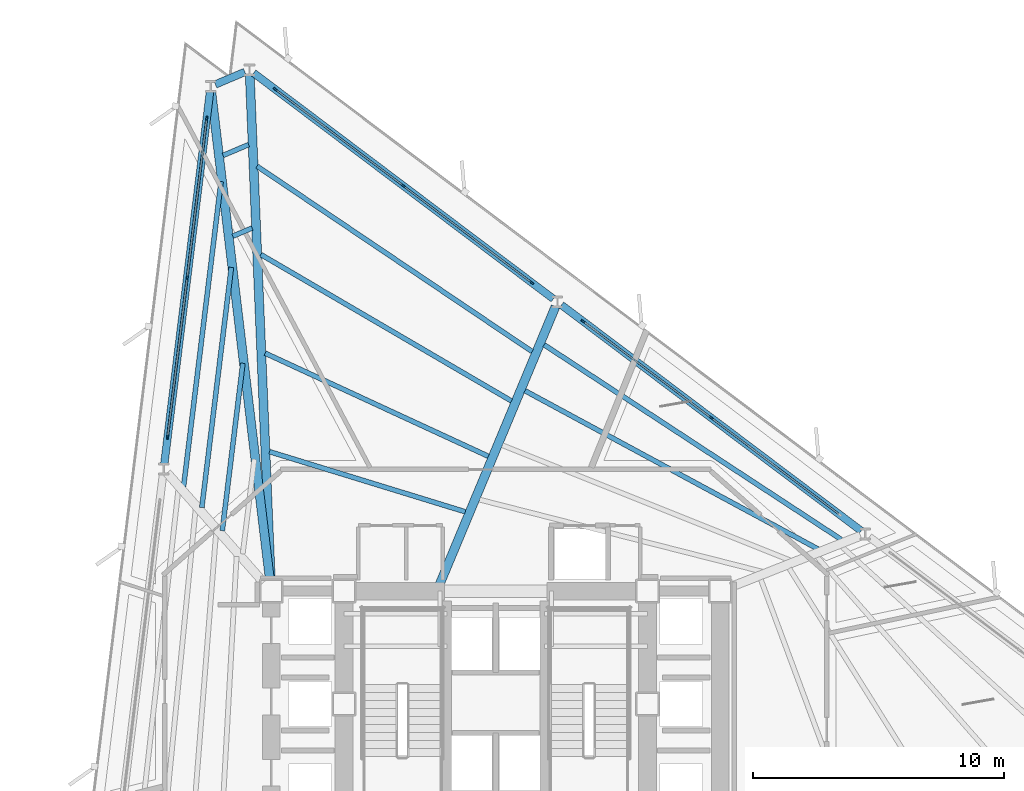
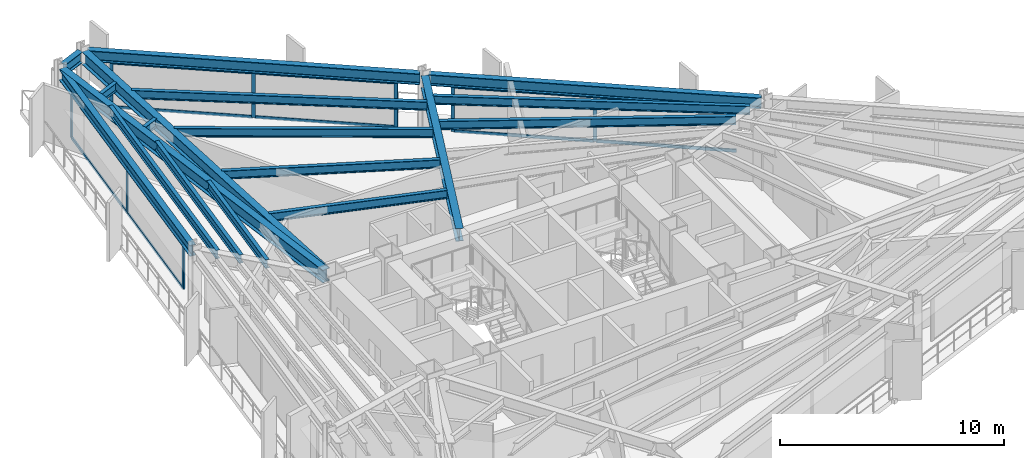
# One storey, part 5 of 13: 20 members, 18 beams, 3 elements without a shape of their own.
"""IFC4 building model written with IfcOpenShell, lengths in metres."""

import ifcopenshell
import ifcopenshell.guid

model = None  # the IFC model being written
_history = None  # IfcOwnerHistory: only IFC2X3 demands one
_inside = {}  # id of a spatial element -> (the spatial element, [elements in it])
_under = {}  # id of a project, library or spatial element -> (it, [spatial elements below it])
_declared = {}  # id of a project -> (the project, [libraries it declares])
_typed = {}  # id of a type object -> (the type object, [elements of that type])
_made_of = {}  # id of a material, layer set ... -> (it, [elements and type objects made of it])


def new_model(schema):
    """Start an empty IFC model of exactly this schema.

    Asked for "IFC4X3", IfcOpenShell would pick the latest addendum, in which some entities
    have other attributes; the version numbers below select the first issue.
    IFC2X3 requires an IfcOwnerHistory on every rooted entity: one is made here for all.
    """
    global model, _history
    if schema == "IFC4X3":
        model = ifcopenshell.file(schema_version=(4, 3, 0, 0))
    else:
        model = ifcopenshell.file(schema=schema)
    _inside.clear()
    _under.clear()
    _declared.clear()
    _typed.clear()
    _made_of.clear()
    _history = None
    if model.schema == "IFC2X3":
        org = make("IfcOrganization", Name="unknown")
        user = make(
            "IfcPersonAndOrganization",
            ThePerson=make("IfcPerson", FamilyName="unknown"),
            TheOrganization=org,
        )
        app = make(
            "IfcApplication",
            ApplicationDeveloper=org,
            Version="unknown",
            ApplicationFullName="unknown",
            ApplicationIdentifier="unknown",
        )
        _history = make(
            "IfcOwnerHistory",
            OwningUser=user,
            OwningApplication=app,
            ChangeAction="ADDED",
            CreationDate=0,
        )
    return model


def make(cls, **values):
    """One entity of the class cls with the attributes given. An attribute that is None is left unset."""
    return model.create_entity(
        cls, **{name: value for name, value in values.items() if value is not None}
    )


def rooted(cls, **values):
    """An entity with a GlobalId (a new one), such as an element, a storey or a relation."""
    return make(cls, GlobalId=ifcopenshell.guid.new(), OwnerHistory=_history, **values)


def si_unit(unit_type, name, prefix=None):
    """IfcSIUnit, for example si_unit("LENGTHUNIT", "METRE", prefix="MILLI")."""
    return make("IfcSIUnit", UnitType=unit_type, Prefix=prefix, Name=name)


def assignment(units):
    """IfcUnitAssignment: the units of a project."""
    return None if units is None else make("IfcUnitAssignment", Units=units)


def point(xyz):
    """IfcCartesianPoint."""
    return None if xyz is None else make("IfcCartesianPoint", Coordinates=xyz)


def direction(xyz):
    """IfcDirection."""
    return None if xyz is None else make("IfcDirection", DirectionRatios=xyz)


def frame(location, z_axis=None, x_axis=None):
    """IfcAxis2Placement3D, a coordinate frame: its origin and axes. An axis left out is left unset."""
    return make(
        "IfcAxis2Placement3D",
        Location=point(location),
        Axis=direction(z_axis),
        RefDirection=direction(x_axis),
    )


def frame_2d(location, x_axis=None):
    """IfcAxis2Placement2D, a coordinate frame in the plane: its origin and x axis."""
    return make(
        "IfcAxis2Placement2D", Location=point(location), RefDirection=direction(x_axis)
    )


def origin():
    """The frame at (0, 0, 0) with its axes left unset."""
    return frame((0.0, 0.0, 0.0))


def origin_2d():
    """The frame at (0, 0) in the plane with its x axis left unset."""
    return frame_2d((0.0, 0.0))


def place(relative_to, where):
    """IfcLocalPlacement: puts the frame where relative to a parent placement (None: the world)."""
    return make(
        "IfcLocalPlacement", PlacementRelTo=relative_to, RelativePlacement=where
    )


def context(
    kind, dimensions, precision=None, world=None, true_north=None, identifier=None
):
    """IfcGeometricRepresentationContext, for example the 3D "Model" context."""
    return make(
        "IfcGeometricRepresentationContext",
        ContextIdentifier=identifier,
        ContextType=kind,
        CoordinateSpaceDimension=dimensions,
        Precision=precision,
        WorldCoordinateSystem=world,
        TrueNorth=true_north,
    )


def subcontext(parent, identifier, kind, view, scale=None):
    """IfcGeometricRepresentationSubContext, for example "Body" below "Model"."""
    return make(
        "IfcGeometricRepresentationSubContext",
        ContextIdentifier=identifier,
        ContextType=kind,
        ParentContext=parent,
        TargetScale=scale,
        TargetView=view,
    )


def project(units=None, contexts=None):
    """IfcProject with its units and contexts."""
    return rooted(
        "IfcProject",
        Name="project",
        RepresentationContexts=contexts,
        UnitsInContext=assignment(units),
    )


def spatial(cls, under=None, at=None, **own):
    """A site, building, storey or space (cls), placed at a placement, below another one or the project."""
    s = rooted(cls, ObjectPlacement=at, **own)
    if under is not None:
        _under.setdefault(under.id(), (under, []))[1].append(s)
    return s


def profile(cls, at=None, kind="AREA", **sizes):
    """A parametric profile (cls). Its sizes go by their IFC names, for example OverallWidth=200.0."""
    return make(cls, ProfileType=kind, Position=at, **sizes)


def rectangle(**sizes):
    """IfcRectangleProfileDef."""
    return profile("IfcRectangleProfileDef", **sizes)


def i_section(**sizes):
    """IfcIShapeProfileDef."""
    return profile("IfcIShapeProfileDef", **sizes)


def extrude(swept, where, along, depth):
    """IfcExtrudedAreaSolid: the profile swept, set in the frame where, extruded along a direction by depth."""
    return make(
        "IfcExtrudedAreaSolid",
        SweptArea=swept,
        Position=where,
        ExtrudedDirection=direction(along),
        Depth=depth,
    )


def shape(context_of_items, identifier, shape_type, items):
    """IfcShapeRepresentation: the items that make up one representation, for example the "Body"."""
    return make(
        "IfcShapeRepresentation",
        ContextOfItems=context_of_items,
        RepresentationIdentifier=identifier,
        RepresentationType=shape_type,
        Items=items,
    )


def material(Name=None, Category=None):
    """IfcMaterial."""
    return make("IfcMaterial", Name=Name, Category=Category)


def layer(
    of_material, thickness, ventilated=None, Name=None, Category=None, Priority=None
):
    """IfcMaterialLayer: one layer of a wall or slab, of a material (None: an air gap)."""
    return make(
        "IfcMaterialLayer",
        Material=of_material,
        LayerThickness=thickness,
        IsVentilated=ventilated,
        Name=Name,
        Category=Category,
        Priority=Priority,
    )


def layer_set(layers, Name=None):
    """IfcMaterialLayerSet."""
    return make("IfcMaterialLayerSet", MaterialLayers=layers, LayerSetName=Name)


def material_profile(
    of_material, cross_section, Name=None, Category=None, Priority=None
):
    """IfcMaterialProfile: a cross section and its material."""
    return make(
        "IfcMaterialProfile",
        Name=Name,
        Material=of_material,
        Profile=cross_section,
        Priority=Priority,
        Category=Category,
    )


def profile_set(profiles, Name=None, composite=None):
    """IfcMaterialProfileSet."""
    return make(
        "IfcMaterialProfileSet",
        Name=Name,
        MaterialProfiles=profiles,
        CompositeProfile=composite,
    )


def made_of(thing, what):
    """Note that an element or type object is made of a material, layer set ...; save() writes the relation."""
    if what is not None:
        _made_of.setdefault(what.id(), (what, []))[1].append(thing)
    return thing


def type_object(cls, material=None, **own):
    """A type object (cls), such as IfcWallType, which elements share."""
    return made_of(rooted(cls, **own), material)


def element(
    cls,
    number,
    at=None,
    inside=None,
    cuts=None,
    type_object=None,
    material=None,
    context=None,
    identifier="Body",
    shape_type=None,
    held_by="IfcProductDefinitionShape",
    body=None,
    shapes=None,
    **own,
):
    """One element of the class cls, such as IfcWall. Its Tag is "e" and its number.

    at: its placement. inside: the storey or other place that contains it. cuts: it is an
    opening in that element (IfcRelVoidsElement). A single representation is given by context,
    identifier, shape_type and body (its items); several are given by shapes. held_by: the class
    of the entity that holds the representations. save() writes the other relations.
    """
    e = rooted(cls, Tag="e%d" % number, ObjectPlacement=at, **own)
    if body is not None:
        shapes = [shape(context, identifier, shape_type, body)]
    if shapes is not None:
        e.Representation = make(held_by, Representations=shapes)
    if inside is not None:
        _inside.setdefault(inside.id(), (inside, []))[1].append(e)
    if cuts is not None:
        rooted(
            "IfcRelVoidsElement", RelatingBuildingElement=cuts, RelatedOpeningElement=e
        )
    if type_object is not None:
        _typed.setdefault(type_object.id(), (type_object, []))[1].append(e)
    return made_of(e, material)


def aggregate(whole, parts):
    """IfcRelAggregates: a whole, such as a stair, and the parts it consists of."""
    return rooted("IfcRelAggregates", RelatingObject=whole, RelatedObjects=parts)


def save(model, path):
    """Write the relations noted so far, then the file.

    IfcRelAggregates (storeys below a building ...), IfcRelContainedInSpatialStructure (elements
    in a storey), IfcRelDefinesByType, IfcRelAssociatesMaterial and IfcRelDeclares: one each for
    every whole, place, type object, material and project.
    """
    for whole, parts in _under.values():
        aggregate(whole, parts)
    for where, things in _inside.values():
        rooted(
            "IfcRelContainedInSpatialStructure",
            RelatedElements=things,
            RelatingStructure=where,
        )
    for kind, things in _typed.values():
        rooted("IfcRelDefinesByType", RelatedObjects=things, RelatingType=kind)
    for what, things in _made_of.values():
        rooted("IfcRelAssociatesMaterial", RelatedObjects=things, RelatingMaterial=what)
    for by, libraries in _declared.values():
        rooted("IfcRelDeclares", RelatingContext=by, RelatedDefinitions=libraries)
    model.write(path)


model = new_model("IFC4")

# Units and contexts
model_context = context("Model", 3, precision=1e-05, world=origin(), true_north=direction((0.0, 1.0)))
body_context = subcontext(model_context, "Body", "Model", "MODEL_VIEW")
ifc_project = project(units=[si_unit("LENGTHUNIT", "METRE"), si_unit("AREAUNIT", "SQUARE_METRE"), si_unit("VOLUMEUNIT", "CUBIC_METRE"), si_unit("PLANEANGLEUNIT", "RADIAN"), si_unit("MASSUNIT", "GRAM", prefix="KILO")], contexts=[model_context])

# Site, building, storey
site_placement = place(None, origin())
site = spatial("IfcSite", under=ifc_project, at=site_placement, CompositionType="ELEMENT")
building_placement = place(site_placement, origin())
building = spatial("IfcBuilding", under=site, at=building_placement, Name="Rocaltana Carrier Exchange", CompositionType="ELEMENT")
storey_placement = place(building_placement, frame((0.0, 0.0, 56.320068359375)))
storey = spatial("IfcBuildingStorey", under=building, at=storey_placement, Name="L17", CompositionType="ELEMENT", Elevation=56.320068359375)

# Curtain wall, members
ifc_material_1 = material(Name="Aluminium 6063-T6", Category="aluminium")
ifc_layer = layer(ifc_material_1, 0.1650390625)
ifc_layer_set = layer_set([ifc_layer], Name="Aluminium 6063-T6")
curtain_wall_type = type_object("IfcCurtainWallType", Name="Lower-Mid Stepped Curtain Wall CW-02", PredefinedType="NOTDEFINED", material=ifc_layer_set)
curtain_wall_1_placement = place(storey_placement, origin())
curtain_wall_1 = element("IfcCurtainWall", 1, at=curtain_wall_1_placement, inside=storey, type_object=curtain_wall_type, Name="L17 CW-02 Run CW-L17-F1S2", PredefinedType="NOTDEFINED")
ifc_material_2 = material(Name="Aluminium 6063-T6", Category="aluminium")
ifc_material_profile_1 = material_profile(ifc_material_2, rectangle(XDim=0.06494140625, YDim=0.1650390625, at=origin_2d()), Name="AL-65X165")
ifc_profile_set_1 = profile_set([ifc_material_profile_1], Name="Aluminium 6063-T6")
member_type_1 = type_object("IfcMemberType", Name="CW-02 Mullion AL-65X165", PredefinedType="MULLION", material=ifc_profile_set_1)
member_1_placement = place(storey_placement, frame((8.59423828125, 11.405029296875, 0.0), z_axis=(0.0, 0.0, 1.0), x_axis=(-0.601815253533, -0.798635336443, 0.0)))
member_1 = element("IfcMember", 2, at=member_1_placement, type_object=member_type_1, Name="CW-02 mullion 2", PredefinedType="MULLION", context=body_context, shape_type="SweptSolid", body=[
    extrude(rectangle(XDim=0.06494140625, YDim=0.1650390625, at=origin_2d()), origin(), (0.0, 0.0, 1.0), 2.47802734375),
])
member_2_placement = place(storey_placement, frame((3.482421875, 15.257080078125, 0.0), z_axis=(0.0, 0.0, 1.0), x_axis=(-0.601815253533, -0.798635336443, 0.0)))
member_2 = element("IfcMember", 3, at=member_2_placement, type_object=member_type_1, Name="CW-02 mullion 3", PredefinedType="MULLION", context=body_context, shape_type="SweptSolid", body=[
    extrude(rectangle(XDim=0.06494140625, YDim=0.1650390625, at=origin_2d()), origin(), (0.0, 0.0, 1.0), 2.47802734375),
])

curtain_wall_2_placement = place(storey_placement, origin())
curtain_wall_2 = element("IfcCurtainWall", 4, at=curtain_wall_2_placement, inside=storey, type_object=curtain_wall_type, Name="L17 CW-02 Run CW-L17-F1S3", PredefinedType="NOTDEFINED")
member_3_placement = place(storey_placement, frame((1.433837890625, 16.80078125, 0.0), z_axis=(0.0, 0.0, 1.0), x_axis=(-0.601811518049, -0.79863815132, 0.0)))
member_3 = element("IfcMember", 5, at=member_3_placement, type_object=member_type_1, Name="CW-02 mullion 1", PredefinedType="MULLION", context=body_context, shape_type="SweptSolid", body=[
    extrude(rectangle(XDim=0.06494140625, YDim=0.1650390625, at=origin_2d()), origin(), (0.0, 0.0, 1.0), 2.47802734375),
])
member_4_placement = place(storey_placement, frame((-3.677978515625, 20.65283203125, 0.0), z_axis=(0.0, 0.0, 1.0), x_axis=(-0.601811518049, -0.79863815132, 0.0)))
member_4 = element("IfcMember", 6, at=member_4_placement, type_object=member_type_1, Name="CW-02 mullion 2", PredefinedType="MULLION", context=body_context, shape_type="SweptSolid", body=[
    extrude(rectangle(XDim=0.06494140625, YDim=0.1650390625, at=origin_2d()), origin(), (0.0, 0.0, 1.0), 2.47802734375),
])
member_5_placement = place(storey_placement, frame((-8.7900390625, 24.505126953125, 0.0), z_axis=(0.0, 0.0, 1.0), x_axis=(-0.601811518049, -0.79863815132, 0.0)))
member_5 = element("IfcMember", 7, at=member_5_placement, type_object=member_type_1, Name="CW-02 mullion 3", PredefinedType="MULLION", context=body_context, shape_type="SweptSolid", body=[
    extrude(rectangle(XDim=0.06494140625, YDim=0.1650390625, at=origin_2d()), origin(), (0.0, 0.0, 1.0), 2.47802734375),
])

curtain_wall_3_placement = place(storey_placement, origin())
curtain_wall_3 = element("IfcCurtainWall", 8, at=curtain_wall_3_placement, inside=storey, type_object=curtain_wall_type, Name="L17 CW-02 Run CW-L17-F2S1", PredefinedType="NOTDEFINED")
member_6_placement = place(storey_placement, frame((-11.521484375, 23.345703125, 0.0), z_axis=(0.0, 0.0, 1.0), x_axis=(0.992545748051, -0.121872630343, 0.0)))
member_6 = element("IfcMember", 9, at=member_6_placement, type_object=member_type_1, Name="CW-02 mullion 1", PredefinedType="MULLION", context=body_context, shape_type="SweptSolid", body=[
    extrude(rectangle(XDim=0.06494140625, YDim=0.1650390625, at=origin_2d()), origin(), (0.0, 0.0, 1.0), 2.47802734375),
])
member_7_placement = place(storey_placement, frame((-12.301513671875, 16.992431640625, 0.0), z_axis=(0.0, 0.0, 1.0), x_axis=(0.992545748051, -0.121872630343, 0.0)))
member_7 = element("IfcMember", 10, at=member_7_placement, type_object=member_type_1, Name="CW-02 mullion 2", PredefinedType="MULLION", context=body_context, shape_type="SweptSolid", body=[
    extrude(rectangle(XDim=0.06494140625, YDim=0.1650390625, at=origin_2d()), origin(), (0.0, 0.0, 1.0), 2.47802734375),
])
member_8_placement = place(storey_placement, frame((-13.08154296875, 10.639404296875, 0.0), z_axis=(0.0, 0.0, 1.0), x_axis=(0.992545748051, -0.121872630343, 0.0)))
member_8 = element("IfcMember", 11, at=member_8_placement, type_object=member_type_1, Name="CW-02 mullion 3", PredefinedType="MULLION", context=body_context, shape_type="SweptSolid", body=[
    extrude(rectangle(XDim=0.06494140625, YDim=0.1650390625, at=origin_2d()), origin(), (0.0, 0.0, 1.0), 2.47802734375),
])

# Member
ifc_material_3 = material(Name="Aluminium 6063-T6", Category="aluminium")
ifc_material_profile_2 = material_profile(ifc_material_3, rectangle(XDim=0.06494140625, YDim=0.1650390625, at=origin_2d()), Name="AL-65X165")
ifc_profile_set_2 = profile_set([ifc_material_profile_2], Name="Aluminium 6063-T6")
member_type_2 = type_object("IfcMemberType", Name="CW-02 Transom AL-65X165", PredefinedType="USERDEFINED", material=ifc_profile_set_2)
member_9_placement = place(storey_placement, frame((13.68017578125, 7.572509765625, 0.032470703125), z_axis=(-0.798624539829, 0.601829580847, 0.0), x_axis=(-0.601829580847, -0.798624539829, 0.0)))
member_9 = element("IfcMember", 12, at=member_9_placement, type_object=member_type_2, Name="CW-02 transom 1.1", ObjectType="TRANSOM", PredefinedType="USERDEFINED", context=body_context, shape_type="SweptSolid", body=[
    extrude(rectangle(XDim=0.06494140625, YDim=0.1650390625, at=origin_2d()), origin(), (0.0, 0.0, 1.0), 6.335693359375),
])

member_10_placement = place(storey_placement, frame((13.68017578125, 7.572509765625, 2.4453125), z_axis=(-0.798624539829, 0.601829580847, 0.0), x_axis=(-0.601829580847, -0.798624539829, 0.0)))
member_10 = element("IfcMember", 13, at=member_10_placement, type_object=member_type_2, Name="CW-02 transom 1.2", ObjectType="TRANSOM", PredefinedType="USERDEFINED", context=body_context, shape_type="SweptSolid", body=[
    extrude(rectangle(XDim=0.06494140625, YDim=0.1650390625, at=origin_2d()), origin(), (0.0, 0.0, 1.0), 6.335693359375),
])

member_11_placement = place(storey_placement, frame((8.568359375, 11.424560546875, 0.032470703125), z_axis=(-0.798638496284, 0.601811060261, 0.0), x_axis=(-0.601811060261, -0.798638496284, 0.0)))
member_11 = element("IfcMember", 14, at=member_11_placement, type_object=member_type_2, Name="CW-02 transom 2.1", ObjectType="TRANSOM", PredefinedType="USERDEFINED", context=body_context, shape_type="SweptSolid", body=[
    extrude(rectangle(XDim=0.06494140625, YDim=0.1650390625, at=origin_2d()), origin(), (0.0, 0.0, 1.0), 6.3359375),
])

member_12_placement = place(storey_placement, frame((8.568359375, 11.424560546875, 2.4453125), z_axis=(-0.798638496284, 0.601811060261, 0.0), x_axis=(-0.601811060261, -0.798638496284, 0.0)))
member_12 = element("IfcMember", 15, at=member_12_placement, type_object=member_type_2, Name="CW-02 transom 2.2", ObjectType="TRANSOM", PredefinedType="USERDEFINED", context=body_context, shape_type="SweptSolid", body=[
    extrude(rectangle(XDim=0.06494140625, YDim=0.1650390625, at=origin_2d()), origin(), (0.0, 0.0, 1.0), 6.3359375),
])

aggregate(curtain_wall_1, [member_1, member_2, member_9, member_10, member_11, member_12])

member_13_placement = place(storey_placement, frame((1.407958984375, 16.8203125, 0.032470703125), z_axis=(-0.798638496284, 0.601811060261, 0.0), x_axis=(-0.601811060261, -0.798638496284, 0.0)))
member_13 = element("IfcMember", 16, at=member_13_placement, type_object=member_type_2, Name="CW-02 transom 1.1", ObjectType="TRANSOM", PredefinedType="USERDEFINED", context=body_context, shape_type="SweptSolid", body=[
    extrude(rectangle(XDim=0.06494140625, YDim=0.1650390625, at=origin_2d()), origin(), (0.0, 0.0, 1.0), 6.3359375),
])

member_14_placement = place(storey_placement, frame((1.407958984375, 16.8203125, 2.4453125), z_axis=(-0.798638496284, 0.601811060261, 0.0), x_axis=(-0.601811060261, -0.798638496284, 0.0)))
member_14 = element("IfcMember", 17, at=member_14_placement, type_object=member_type_2, Name="CW-02 transom 1.2", ObjectType="TRANSOM", PredefinedType="USERDEFINED", context=body_context, shape_type="SweptSolid", body=[
    extrude(rectangle(XDim=0.06494140625, YDim=0.1650390625, at=origin_2d()), origin(), (0.0, 0.0, 1.0), 6.3359375),
])

member_15_placement = place(storey_placement, frame((-3.703857421875, 20.672607421875, 0.032470703125), z_axis=(-0.798638496284, 0.601811060261, 0.0), x_axis=(-0.601811060261, -0.798638496284, 0.0)))
member_15 = element("IfcMember", 18, at=member_15_placement, type_object=member_type_2, Name="CW-02 transom 2.1", ObjectType="TRANSOM", PredefinedType="USERDEFINED", context=body_context, shape_type="SweptSolid", body=[
    extrude(rectangle(XDim=0.06494140625, YDim=0.1650390625, at=origin_2d()), origin(), (0.0, 0.0, 1.0), 6.3359375),
])

member_16_placement = place(storey_placement, frame((-3.703857421875, 20.672607421875, 2.4453125), z_axis=(-0.798638496284, 0.601811060261, 0.0), x_axis=(-0.601811060261, -0.798638496284, 0.0)))
member_16 = element("IfcMember", 19, at=member_16_placement, type_object=member_type_2, Name="CW-02 transom 2.2", ObjectType="TRANSOM", PredefinedType="USERDEFINED", context=body_context, shape_type="SweptSolid", body=[
    extrude(rectangle(XDim=0.06494140625, YDim=0.1650390625, at=origin_2d()), origin(), (0.0, 0.0, 1.0), 6.3359375),
])

aggregate(curtain_wall_2, [member_3, member_4, member_5, member_13, member_14, member_15, member_16])

member_17_placement = place(storey_placement, frame((-11.525390625, 23.3134765625, 0.032470703125), z_axis=(-0.12187665048, -0.992545254418, 0.0), x_axis=(0.992545254418, -0.12187665048, 0.0)))
member_17 = element("IfcMember", 20, at=member_17_placement, type_object=member_type_2, Name="CW-02 transom 1.1", ObjectType="TRANSOM", PredefinedType="USERDEFINED", context=body_context, shape_type="SweptSolid", body=[
    extrude(rectangle(XDim=0.06494140625, YDim=0.1650390625, at=origin_2d()), origin(), (0.0, 0.0, 1.0), 6.3359375),
])

member_18_placement = place(storey_placement, frame((-11.525390625, 23.3134765625, 2.4453125), z_axis=(-0.12187665048, -0.992545254418, 0.0), x_axis=(0.992545254418, -0.12187665048, 0.0)))
member_18 = element("IfcMember", 21, at=member_18_placement, type_object=member_type_2, Name="CW-02 transom 1.2", ObjectType="TRANSOM", PredefinedType="USERDEFINED", context=body_context, shape_type="SweptSolid", body=[
    extrude(rectangle(XDim=0.06494140625, YDim=0.1650390625, at=origin_2d()), origin(), (0.0, 0.0, 1.0), 6.3359375),
])

member_19_placement = place(storey_placement, frame((-12.305419921875, 16.960205078125, 0.032470703125), z_axis=(-0.121881311797, -0.992544682034, 0.0), x_axis=(0.992544682034, -0.121881311797, 0.0)))
member_19 = element("IfcMember", 22, at=member_19_placement, type_object=member_type_2, Name="CW-02 transom 2.1", ObjectType="TRANSOM", PredefinedType="USERDEFINED", context=body_context, shape_type="SweptSolid", body=[
    extrude(rectangle(XDim=0.06494140625, YDim=0.1650390625, at=origin_2d()), origin(), (0.0, 0.0, 1.0), 6.335693359375),
])

member_20_placement = place(storey_placement, frame((-12.305419921875, 16.960205078125, 2.4453125), z_axis=(-0.121881311797, -0.992544682034, 0.0), x_axis=(0.992544682034, -0.121881311797, 0.0)))
member_20 = element("IfcMember", 23, at=member_20_placement, type_object=member_type_2, Name="CW-02 transom 2.2", ObjectType="TRANSOM", PredefinedType="USERDEFINED", context=body_context, shape_type="SweptSolid", body=[
    extrude(rectangle(XDim=0.06494140625, YDim=0.1650390625, at=origin_2d()), origin(), (0.0, 0.0, 1.0), 6.335693359375),
])

aggregate(curtain_wall_3, [member_6, member_7, member_8, member_17, member_18, member_19, member_20])

# Beams
ifc_material_4 = material(Name="Steel S355", Category="steel")
ifc_material_profile_3 = material_profile(ifc_material_4, i_section(OverallWidth=0.193115234375, OverallDepth=0.466064453125, WebThickness=0.011474609375, FlangeThickness=0.01904296875, FilletRadius=0.013916015625, at=origin_2d()), Name="W18X65")
ifc_profile_set_3 = profile_set([ifc_material_profile_3], Name="Steel S355")
beam_type_1 = type_object("IfcBeamType", Name="Floor Joist W18X65", PredefinedType="JOIST", material=ifc_profile_set_3)
beam_1_placement = place(storey_placement, frame((12.845458984375, 6.17822265625, 2.864990234375), z_axis=(-0.879782188298, 0.475377009493, 0.0), x_axis=(-0.475377009493, -0.879782188298, 0.0)))
element("IfcBeam", 24, at=beam_1_placement, inside=storey, type_object=beam_type_1, Name="FJ-L17-02-3", PredefinedType="JOIST", context=body_context, shape_type="SweptSolid", body=[
    extrude(i_section(OverallWidth=0.193115234375, OverallDepth=0.466064453125, WebThickness=0.011474609375, FlangeThickness=0.01904296875, FilletRadius=0.013916015625, at=origin_2d()), origin(), (0.0, 0.0, 1.0), 13.27490234375),
])
beam_2_placement = place(storey_placement, frame((13.77783203125, 6.5556640625, 2.864990234375), z_axis=(-0.836404193047, 0.548113150593, 0.0), x_axis=(-0.548113150593, -0.836404193047, 0.0)))
element("IfcBeam", 25, at=beam_2_placement, inside=storey, type_object=beam_type_1, Name="FJ-L17-02-4", PredefinedType="JOIST", context=body_context, shape_type="SweptSolid", body=[
    extrude(i_section(OverallWidth=0.193115234375, OverallDepth=0.466064453125, WebThickness=0.011474609375, FlangeThickness=0.01904296875, FilletRadius=0.013916015625, at=origin_2d()), origin(), (0.0, 0.0, 1.0), 14.1669921875),
])
beam_3_placement = place(storey_placement, frame((-1.2158203125, 7.6630859375, 2.864990234375), z_axis=(-0.955945046832, 0.293545682028, 0.0), x_axis=(-0.293545682028, -0.955945046832, 0.0)))
element("IfcBeam", 26, at=beam_3_placement, inside=storey, type_object=beam_type_1, Name="FJ-L17-03-1", PredefinedType="JOIST", context=body_context, shape_type="SweptSolid", body=[
    extrude(i_section(OverallWidth=0.193115234375, OverallDepth=0.466064453125, WebThickness=0.011474609375, FlangeThickness=0.01904296875, FilletRadius=0.013916015625, at=origin_2d()), origin(), (0.0, 0.0, 1.0), 8.1630859375),
])
beam_4_placement = place(storey_placement, frame((-0.2939453125, 9.875244140625, 2.864990234375), z_axis=(-0.907819359588, 0.419361431653, 0.0), x_axis=(-0.419361431653, -0.907819359588, 0.0)))
element("IfcBeam", 27, at=beam_4_placement, inside=storey, type_object=beam_type_1, Name="FJ-L17-03-2", PredefinedType="JOIST", context=body_context, shape_type="SweptSolid", body=[
    extrude(i_section(OverallWidth=0.193115234375, OverallDepth=0.466064453125, WebThickness=0.011474609375, FlangeThickness=0.01904296875, FilletRadius=0.013916015625, at=origin_2d()), origin(), (0.0, 0.0, 1.0), 9.801513671875),
])
beam_5_placement = place(storey_placement, frame((0.627197265625, 12.080322265625, 2.864990234375), z_axis=(-0.863399873856, 0.504520225387, 0.0), x_axis=(-0.504520225387, -0.863399873856, 0.0)))
element("IfcBeam", 28, at=beam_5_placement, inside=storey, type_object=beam_type_1, Name="FJ-L17-03-3", PredefinedType="JOIST", context=body_context, shape_type="SweptSolid", body=[
    extrude(i_section(OverallWidth=0.193115234375, OverallDepth=0.466064453125, WebThickness=0.011474609375, FlangeThickness=0.01904296875, FilletRadius=0.013916015625, at=origin_2d()), origin(), (0.0, 0.0, 1.0), 11.57177734375),
])
beam_6_placement = place(storey_placement, frame((1.450439453125, 14.049560546875, 2.864990234375), z_axis=(-0.829233693301, 0.558902032466, 0.0), x_axis=(-0.558902032466, -0.829233693301, 0.0)))
element("IfcBeam", 29, at=beam_6_placement, inside=storey, type_object=beam_type_1, Name="FJ-L17-03-4", PredefinedType="JOIST", context=body_context, shape_type="SweptSolid", body=[
    extrude(i_section(OverallWidth=0.193115234375, OverallDepth=0.466064453125, WebThickness=0.011474609375, FlangeThickness=0.01904296875, FilletRadius=0.013916015625, at=origin_2d()), origin(), (0.0, 0.0, 1.0), 13.22509765625),
])
beam_7_placement = place(storey_placement, frame((-9.712890625, 18.976806640625, 2.864990234375), z_axis=(-0.92048318346, -0.390782175857, 0.0), x_axis=(0.390782175857, -0.92048318346, 0.0)))
element("IfcBeam", 30, at=beam_7_placement, inside=storey, type_object=beam_type_1, Name="FJ-L17-04-3", PredefinedType="JOIST", context=body_context, shape_type="SweptSolid", body=[
    extrude(i_section(OverallWidth=0.193115234375, OverallDepth=0.466064453125, WebThickness=0.011474609375, FlangeThickness=0.01904296875, FilletRadius=0.013916015625, at=origin_2d()), origin(), (0.0, 0.0, 1.0), 0.83642578125),
])
beam_8_placement = place(storey_placement, frame((-9.85107421875, 22.301025390625, 2.864990234375), z_axis=(-0.920509615817, -0.390719908872, 0.0), x_axis=(0.390719908872, -0.920509615817, 0.0)))
element("IfcBeam", 31, at=beam_8_placement, inside=storey, type_object=beam_type_1, Name="FJ-L17-04-4", PredefinedType="JOIST", context=body_context, shape_type="SweptSolid", body=[
    extrude(i_section(OverallWidth=0.193115234375, OverallDepth=0.466064453125, WebThickness=0.011474609375, FlangeThickness=0.01904296875, FilletRadius=0.013916015625, at=origin_2d()), origin(), (0.0, 0.0, 1.0), 1.10595703125),
])
beam_9_placement = place(storey_placement, frame((-10.081787109375, 13.584228515625, 2.864990234375), z_axis=(-0.121894438401, -0.992543070041, 0.0), x_axis=(0.992543070041, -0.121894438401, 0.0)))
element("IfcBeam", 32, at=beam_9_placement, inside=storey, type_object=beam_type_1, Name="FJ-L17-05-2", PredefinedType="JOIST", context=body_context, shape_type="SweptSolid", body=[
    extrude(i_section(OverallWidth=0.193115234375, OverallDepth=0.466064453125, WebThickness=0.011474609375, FlangeThickness=0.01904296875, FilletRadius=0.013916015625, at=origin_2d()), origin(), (0.0, 0.0, 1.0), 6.7255859375),
])
beam_10_placement = place(storey_placement, frame((-10.540771484375, 17.406982421875, 2.864990234375), z_axis=(-0.121875552726, -0.992545389213, 0.0), x_axis=(0.992545389213, -0.121875552726, 0.0)))
element("IfcBeam", 33, at=beam_10_placement, inside=storey, type_object=beam_type_1, Name="FJ-L17-05-3", PredefinedType="JOIST", context=body_context, shape_type="SweptSolid", body=[
    extrude(i_section(OverallWidth=0.193115234375, OverallDepth=0.466064453125, WebThickness=0.011474609375, FlangeThickness=0.01904296875, FilletRadius=0.013916015625, at=origin_2d()), origin(), (0.0, 0.0, 1.0), 9.6455078125),
])
beam_11_placement = place(storey_placement, frame((-10.951416015625, 20.826904296875, 2.864990234375), z_axis=(-0.121874778131, -0.992545484326, 0.0), x_axis=(0.992545484326, -0.121874778131, 0.0)))
element("IfcBeam", 34, at=beam_11_placement, inside=storey, type_object=beam_type_1, Name="FJ-L17-05-4", PredefinedType="JOIST", context=body_context, shape_type="SweptSolid", body=[
    extrude(i_section(OverallWidth=0.193115234375, OverallDepth=0.466064453125, WebThickness=0.011474609375, FlangeThickness=0.01904296875, FilletRadius=0.013916015625, at=origin_2d()), origin(), (0.0, 0.0, 1.0), 12.257568359375),
])
ifc_material_5 = material(Name="Steel S355", Category="steel")
ifc_material_profile_4 = material_profile(ifc_material_5, i_section(OverallWidth=0.35498046875, OverallDepth=0.695068359375, WebThickness=0.015380859375, FlangeThickness=0.02490234375, FilletRadius=0.01806640625, at=origin_2d()), Name="W27X146")
ifc_profile_set_4 = profile_set([ifc_material_profile_4], Name="Steel S355")
beam_type_2 = type_object("IfcBeamType", Name="Radial Girder W27X146", PredefinedType="BEAM", material=ifc_profile_set_4)
beam_12_placement = place(storey_placement, frame((-2.2568359375, 4.723388671875, 2.75048828125), z_axis=(0.384913271057, 0.922952747308, 0.0), x_axis=(-0.922952747308, 0.384913271057, 0.0)))
element("IfcBeam", 35, at=beam_12_placement, inside=storey, type_object=beam_type_2, Name="RG-L17-03", PredefinedType="BEAM", context=body_context, shape_type="SweptSolid", body=[
    extrude(i_section(OverallWidth=0.35498046875, OverallDepth=0.695068359375, WebThickness=0.015380859375, FlangeThickness=0.02490234375, FilletRadius=0.01806640625, at=origin_2d()), origin(), (0.0, 0.0, 1.0), 12.04541015625),
])
beam_13_placement = place(storey_placement, frame((-8.969482421875, 4.966552734375, 2.75048828125), z_axis=(-0.041551823775, 0.999136350025, 0.0), x_axis=(-0.999136350025, -0.041551823775, 0.0)))
element("IfcBeam", 36, at=beam_13_placement, inside=storey, type_object=beam_type_2, Name="RG-L17-04", PredefinedType="BEAM", context=body_context, shape_type="SweptSolid", body=[
    extrude(i_section(OverallWidth=0.35498046875, OverallDepth=0.695068359375, WebThickness=0.015380859375, FlangeThickness=0.02490234375, FilletRadius=0.01806640625, at=origin_2d()), origin(), (0.0, 0.0, 1.0), 20.123779296875),
])
beam_14_placement = place(storey_placement, frame((-9.005615234375, 4.963623046875, 2.75048828125), z_axis=(-0.119191409492, 0.992871294732, 0.0), x_axis=(-0.992871294732, -0.119191409492, 0.0)))
element("IfcBeam", 37, at=beam_14_placement, inside=storey, type_object=beam_type_2, Name="RG-L17-05", PredefinedType="BEAM", context=body_context, shape_type="SweptSolid", body=[
    extrude(i_section(OverallWidth=0.35498046875, OverallDepth=0.695068359375, WebThickness=0.015380859375, FlangeThickness=0.02490234375, FilletRadius=0.01806640625, at=origin_2d()), origin(), (0.0, 0.0, 1.0), 19.592041015625),
])
ifc_material_6 = material(Name="Steel S355", Category="steel")
ifc_material_profile_5 = material_profile(ifc_material_6, i_section(OverallWidth=0.300048828125, OverallDepth=0.60009765625, WebThickness=0.015380859375, FlangeThickness=0.030029296875, FilletRadius=0.027099609375, at=origin_2d()), Name="HEB600")
ifc_profile_set_5 = profile_set([ifc_material_profile_5], Name="Steel S355")
beam_type_3 = type_object("IfcBeamType", Name="Spandrel Edge Beam HEB600", PredefinedType="SPANDREL", material=ifc_profile_set_5)
for number, where, z_axis, x_axis, name in (
    (38, (14.567626953125, 6.90380859375, 2.7978515625), (-0.798632845578, 0.601818559006, 0.0), (-0.601818559006, -0.798632845578, 0.0), "SP-L17-02"),
    (39, (2.29541015625, 16.15185546875, 2.7978515625), (-0.798646600906, 0.601800304803, 0.0), (-0.601800304803, -0.798646600906, 0.0), "SP-L17-03"),
):
    element("IfcBeam", number, at=place(storey_placement, frame(where, z_axis=z_axis, x_axis=x_axis)), inside=storey, type_object=beam_type_3, Name=name, PredefinedType="SPANDREL", context=body_context, shape_type="SweptSolid", body=[
        extrude(i_section(OverallWidth=0.300048828125, OverallDepth=0.60009765625, WebThickness=0.015380859375, FlangeThickness=0.030029296875, FilletRadius=0.027099609375, at=origin_2d()), origin(), (0.0, 0.0, 1.0), 14.958740234375),
    ])
beam_15_placement = place(storey_placement, frame((-10.001953125, 25.197265625, 2.7978515625), z_axis=(-0.920494280751, -0.390756035276, 0.0), x_axis=(0.390756035276, -0.920494280751, 0.0)))
element("IfcBeam", 40, at=beam_15_placement, inside=storey, type_object=beam_type_3, Name="SP-L17-04", PredefinedType="SPANDREL", context=body_context, shape_type="SweptSolid", body=[
    extrude(i_section(OverallWidth=0.300048828125, OverallDepth=0.60009765625, WebThickness=0.015380859375, FlangeThickness=0.030029296875, FilletRadius=0.027099609375, at=origin_2d()), origin(), (0.0, 0.0, 1.0), 1.277099609375),
])
beam_16_placement = place(storey_placement, frame((-11.39013671875, 24.416015625, 2.7978515625), z_axis=(-0.12185293856, -0.992548165765, 0.0), x_axis=(0.992548165765, -0.12185293856, 0.0)))
element("IfcBeam", 41, at=beam_16_placement, inside=storey, type_object=beam_type_3, Name="SP-L17-05", PredefinedType="SPANDREL", context=body_context, shape_type="SweptSolid", body=[
    extrude(i_section(OverallWidth=0.300048828125, OverallDepth=0.60009765625, WebThickness=0.015380859375, FlangeThickness=0.030029296875, FilletRadius=0.027099609375, at=origin_2d()), origin(), (0.0, 0.0, 1.0), 14.958740234375),
])

save(model, "model.ifc")
